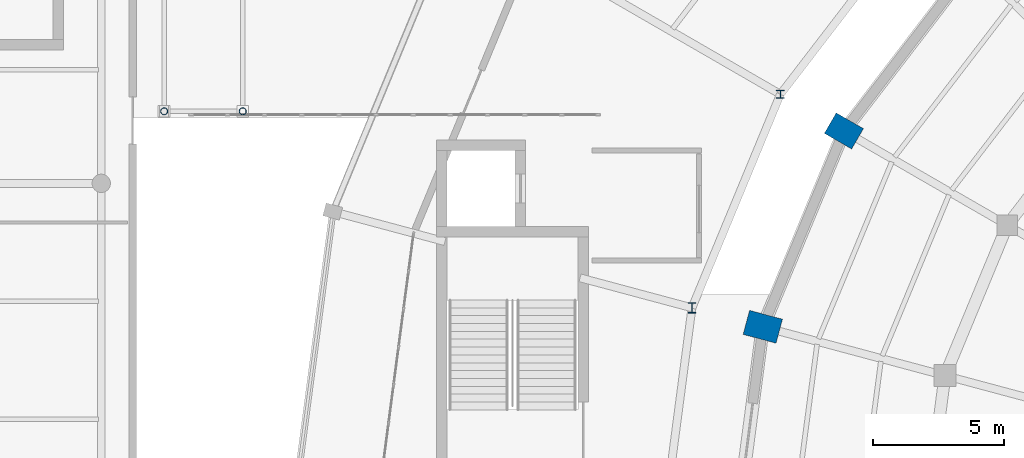
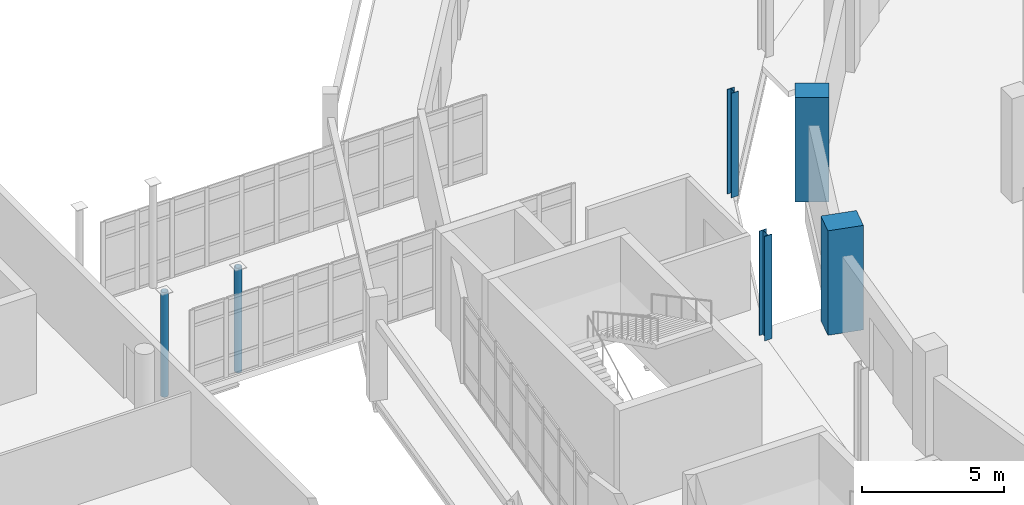
# One storey, part 12 of 122: 6 columns.
"""IFC4 building model written with IfcOpenShell, lengths in metres."""

from ifc_helpers import new_model, si_unit, direction, frame, origin, origin_2d, place, context, subcontext, project, spatial, rectangle, hollow_circle, i_section, extrude, material, material_profile, profile_set, type_object, element, save


model = new_model("IFC4")

# Units and contexts
model_context = context("Model", 3, precision=1e-05, world=origin(), true_north=direction((0.0, 1.0)))
body_context = subcontext(model_context, "Body", "Model", "MODEL_VIEW")
ifc_project = project(units=[si_unit("LENGTHUNIT", "METRE"), si_unit("AREAUNIT", "SQUARE_METRE"), si_unit("VOLUMEUNIT", "CUBIC_METRE"), si_unit("PLANEANGLEUNIT", "RADIAN"), si_unit("MASSUNIT", "GRAM", prefix="KILO")], contexts=[model_context])

# Site, building, storey
site_placement = place(None, origin())
site = spatial("IfcSite", under=ifc_project, at=site_placement, CompositionType="ELEMENT")
building_placement = place(site_placement, origin())
building = spatial("IfcBuilding", under=site, at=building_placement, Name="Sohan Crest Arena", CompositionType="ELEMENT")
storey_placement = place(building_placement, origin())
storey = spatial("IfcBuildingStorey", under=building, at=storey_placement, Name="L00", CompositionType="ELEMENT", Elevation=0.0)

# Columns
ifc_material_1 = material(Name="Concrete C40/50", Category="concrete")
ifc_material_profile_1 = material_profile(ifc_material_1, rectangle(XDim=1.199951171875, YDim=0.89990234375, at=origin_2d()), Name="RC 1200x900")
ifc_profile_set_1 = profile_set([ifc_material_profile_1], Name="Concrete C40/50")
column_type_1 = type_object("IfcColumnType", Name="STR-COL-C11", PredefinedType="COLUMN", material=ifc_profile_set_1)
column_1_placement = place(storey_placement, frame((71.153076171875, 93.5, 0.0), z_axis=(0.0, 0.0, 1.0), x_axis=(-0.866025403784, 0.5, 0.0)))
element("IfcColumn", 1, at=column_1_placement, inside=storey, type_object=column_type_1, Name="Structural column COL-V1R-05-L00", PredefinedType="COLUMN", context=body_context, shape_type="SweptSolid", body=[
    extrude(rectangle(XDim=1.199951171875, YDim=0.89990234375, at=origin_2d()), origin(), (0.0, 0.0, 1.0), 4.5),
])
ifc_material_profile_2 = material_profile(ifc_material_1, rectangle(XDim=1.300048828125, YDim=0.949951171875, at=origin_2d()), Name="RC 1300x950")
ifc_profile_set_2 = profile_set([ifc_material_profile_2], Name="Concrete C40/50")
column_type_2 = type_object("IfcColumnType", Name="STR-COL-C12", PredefinedType="COLUMN", material=ifc_profile_set_2)
column_2_placement = place(storey_placement, frame((68.055908203125, 86.02294921875, 0.0), z_axis=(0.0, 0.0, 1.0), x_axis=(-0.965925826289, 0.258819045103, 0.0)))
element("IfcColumn", 2, at=column_2_placement, inside=storey, type_object=column_type_2, Name="Structural column COL-V1R-06-L00", PredefinedType="COLUMN", context=body_context, shape_type="SweptSolid", body=[
    extrude(rectangle(XDim=1.300048828125, YDim=0.949951171875, at=origin_2d()), origin(), (0.0, 0.0, 1.0), 4.5),
])
ifc_material_2 = material(Name="Steel S355", Category="steel")
ifc_material_profile_3 = material_profile(ifc_material_2, i_section(OverallWidth=0.300048828125, OverallDepth=0.300048828125, WebThickness=0.010986328125, FlangeThickness=0.01904296875, at=origin_2d()), Name="HEB 300")
ifc_profile_set_3 = profile_set([ifc_material_profile_3], Name="Steel S355")
column_type_3 = type_object("IfcColumnType", Name="STR-COL-C17", PredefinedType="COLUMN", material=ifc_profile_set_3)
column_3_placement = place(storey_placement, frame((68.72802734375, 94.89990234375, 0.0), z_axis=(0.0, 0.0, 1.0), x_axis=(1.0, 0.0, 0.0)))
element("IfcColumn", 3, at=column_3_placement, inside=storey, type_object=column_type_3, Name="Structural column COL-V2I-05-L00", PredefinedType="COLUMN", context=body_context, shape_type="SweptSolid", body=[
    extrude(i_section(OverallWidth=0.300048828125, OverallDepth=0.300048828125, WebThickness=0.010986328125, FlangeThickness=0.01904296875, at=origin_2d()), origin(), (0.0, 0.0, 1.0), 4.5),
])
ifc_material_profile_4 = material_profile(ifc_material_2, i_section(OverallWidth=0.300048828125, OverallDepth=0.39990234375, WebThickness=0.013427734375, FlangeThickness=0.02392578125, at=origin_2d()), Name="HEB 400")
ifc_profile_set_4 = profile_set([ifc_material_profile_4], Name="Steel S355")
column_type_4 = type_object("IfcColumnType", Name="STR-COL-C18", PredefinedType="COLUMN", material=ifc_profile_set_4)
column_4_placement = place(storey_placement, frame((65.35205078125, 86.748046875, 0.0), z_axis=(0.0, 0.0, 1.0), x_axis=(1.0, 0.0, 0.0)))
element("IfcColumn", 4, at=column_4_placement, inside=storey, type_object=column_type_4, Name="Structural column COL-V2I-06-L00", PredefinedType="COLUMN", context=body_context, shape_type="SweptSolid", body=[
    extrude(i_section(OverallWidth=0.300048828125, OverallDepth=0.39990234375, WebThickness=0.013427734375, FlangeThickness=0.02392578125, at=origin_2d()), origin(), (0.0, 0.0, 1.0), 4.5),
])
ifc_material_profile_5 = material_profile(ifc_material_2, hollow_circle(Radius=0.136474609375, WallThickness=0.012451171875, at=origin_2d()), Name="CHS 273x12.5")
ifc_profile_set_5 = profile_set([ifc_material_profile_5], Name="Steel S355")
column_type_5 = type_object("IfcColumnType", Name="STR-COL-C25", PredefinedType="COLUMN", material=ifc_profile_set_5)
for number, where, z_axis, x_axis, name in (
    (5, (45.199951171875, 94.25, 0.0), (0.0, 0.0, 1.0), (1.0, 0.0, 0.0), "Structural column COL-BC-BR-W2-1-L00"),
    (6, (48.199951171875, 94.25, 0.0), (0.0, 0.0, 1.0), (1.0, 0.0, 0.0), "Structural column COL-BC-BR-W2-2-L00"),
):
    element("IfcColumn", number, at=place(storey_placement, frame(where, z_axis=z_axis, x_axis=x_axis)), inside=storey, type_object=column_type_5, Name=name, PredefinedType="COLUMN", context=body_context, shape_type="SweptSolid", body=[
        extrude(hollow_circle(Radius=0.136474609375, WallThickness=0.012451171875, at=origin_2d()), origin(), (0.0, 0.0, 1.0), 4.5),
    ])

save(model, "model.ifc")
